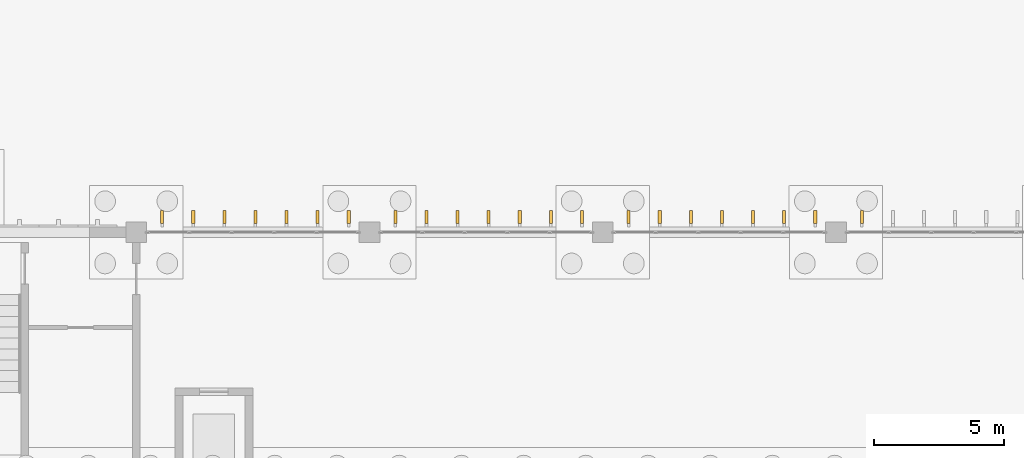
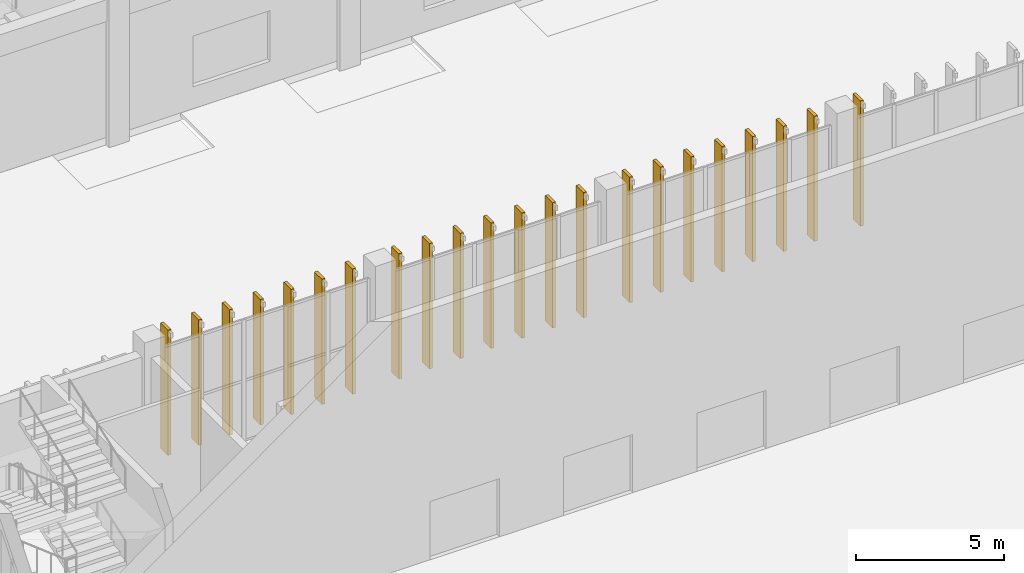
# One storey, part 185 of 198: 22 coverings.
"""IFC4 building model written with IfcOpenShell, lengths in metres."""

from ifc_helpers import new_model, si_unit, direction, frame, origin, origin_2d, place, context, subcontext, project, spatial, rectangle, extrude, material, layer, layer_set, type_object, element, save


model = new_model("IFC4")

# Units and contexts
model_context = context("Model", 3, precision=1e-05, world=origin(), true_north=direction((0.0, 1.0)))
body_context = subcontext(model_context, "Body", "Model", "MODEL_VIEW")
ifc_project = project(units=[si_unit("LENGTHUNIT", "METRE"), si_unit("AREAUNIT", "SQUARE_METRE"), si_unit("VOLUMEUNIT", "CUBIC_METRE"), si_unit("PLANEANGLEUNIT", "RADIAN"), si_unit("MASSUNIT", "GRAM", prefix="KILO")], contexts=[model_context])

# Site, building, storey
site_placement = place(None, origin())
site = spatial("IfcSite", under=ifc_project, at=site_placement, CompositionType="ELEMENT")
building_placement = place(site_placement, origin())
building = spatial("IfcBuilding", under=site, at=building_placement, Name="Opaline Strait Convention Centre", CompositionType="ELEMENT")
storey_placement = place(building_placement, origin())
storey = spatial("IfcBuildingStorey", under=building, at=storey_placement, Name="L00", CompositionType="ELEMENT", Elevation=0.0)

# Coverings
ifc_material = material(Name="Powder-coated aluminium white", Category="aluminium")
ifc_layer = layer(ifc_material, 0.1201171875)
ifc_layer_set = layer_set([ifc_layer], Name="Powder-coated aluminium white")
covering_type = type_object("IfcCoveringType", Name="Storm louvre fin 120 x 500", PredefinedType="CLADDING", material=ifc_layer_set)
for number, where, z_axis, x_axis, name in (
    (1, (298.0, 72.60009765625, 0.150146484375), (0.0, 0.0, 1.0), (1.0, 0.0, 0.0), "BX2 storm louvre fin north 1"),
    (2, (299.199951171875, 72.60009765625, 0.150146484375), (0.0, 0.0, 1.0), (1.0, 0.0, 0.0), "BX2 storm louvre fin north 2"),
    (3, (300.39990234375, 72.60009765625, 0.150146484375), (0.0, 0.0, 1.0), (1.0, 0.0, 0.0), "BX2 storm louvre fin north 3"),
    (4, (301.60009765625, 72.60009765625, 0.150146484375), (0.0, 0.0, 1.0), (1.0, 0.0, 0.0), "BX2 storm louvre fin north 4"),
    (5, (302.800048828125, 72.60009765625, 0.150146484375), (0.0, 0.0, 1.0), (1.0, 0.0, 0.0), "BX2 storm louvre fin north 5"),
    (6, (304.0, 72.60009765625, 0.150146484375), (0.0, 0.0, 1.0), (1.0, 0.0, 0.0), "BX2 storm louvre fin north 6"),
    (7, (305.199951171875, 72.60009765625, 0.150146484375), (0.0, 0.0, 1.0), (1.0, 0.0, 0.0), "BX2 storm louvre fin north 7"),
    (8, (307.0, 72.60009765625, 0.150146484375), (0.0, 0.0, 1.0), (1.0, 0.0, 0.0), "BX2 storm louvre fin north 8"),
    (9, (308.199951171875, 72.60009765625, 0.150146484375), (0.0, 0.0, 1.0), (1.0, 0.0, 0.0), "BX2 storm louvre fin north 9"),
    (10, (309.39990234375, 72.60009765625, 0.150146484375), (0.0, 0.0, 1.0), (1.0, 0.0, 0.0), "BX2 storm louvre fin north 10"),
    (11, (310.60009765625, 72.60009765625, 0.150146484375), (0.0, 0.0, 1.0), (1.0, 0.0, 0.0), "BX2 storm louvre fin north 11"),
    (12, (311.800048828125, 72.60009765625, 0.150146484375), (0.0, 0.0, 1.0), (1.0, 0.0, 0.0), "BX2 storm louvre fin north 12"),
    (13, (313.0, 72.60009765625, 0.150146484375), (0.0, 0.0, 1.0), (1.0, 0.0, 0.0), "BX2 storm louvre fin north 13"),
    (14, (314.199951171875, 72.60009765625, 0.150146484375), (0.0, 0.0, 1.0), (1.0, 0.0, 0.0), "BX2 storm louvre fin north 14"),
    (15, (316.0, 72.60009765625, 0.150146484375), (0.0, 0.0, 1.0), (1.0, 0.0, 0.0), "BX2 storm louvre fin north 15"),
    (16, (317.199951171875, 72.60009765625, 0.150146484375), (0.0, 0.0, 1.0), (1.0, 0.0, 0.0), "BX2 storm louvre fin north 16"),
    (17, (318.39990234375, 72.60009765625, 0.150146484375), (0.0, 0.0, 1.0), (1.0, 0.0, 0.0), "BX2 storm louvre fin north 17"),
    (18, (319.60009765625, 72.60009765625, 0.150146484375), (0.0, 0.0, 1.0), (1.0, 0.0, 0.0), "BX2 storm louvre fin north 18"),
    (19, (320.800048828125, 72.60009765625, 0.150146484375), (0.0, 0.0, 1.0), (1.0, 0.0, 0.0), "BX2 storm louvre fin north 19"),
    (20, (322.0, 72.60009765625, 0.150146484375), (0.0, 0.0, 1.0), (1.0, 0.0, 0.0), "BX2 storm louvre fin north 20"),
    (21, (323.199951171875, 72.60009765625, 0.150146484375), (0.0, 0.0, 1.0), (1.0, 0.0, 0.0), "BX2 storm louvre fin north 21"),
    (22, (325.0, 72.60009765625, 0.150146484375), (0.0, 0.0, 1.0), (1.0, 0.0, 0.0), "BX2 storm louvre fin north 22"),
):
    element("IfcCovering", number, at=place(storey_placement, frame(where, z_axis=z_axis, x_axis=x_axis)), inside=storey, type_object=covering_type, Name=name, PredefinedType="CLADDING", context=body_context, shape_type="SweptSolid", body=[
        extrude(rectangle(XDim=0.1201171875, YDim=0.5, at=origin_2d()), origin(), (0.0, 0.0, 1.0), 5.169921875),
    ])

save(model, "model.ifc")
